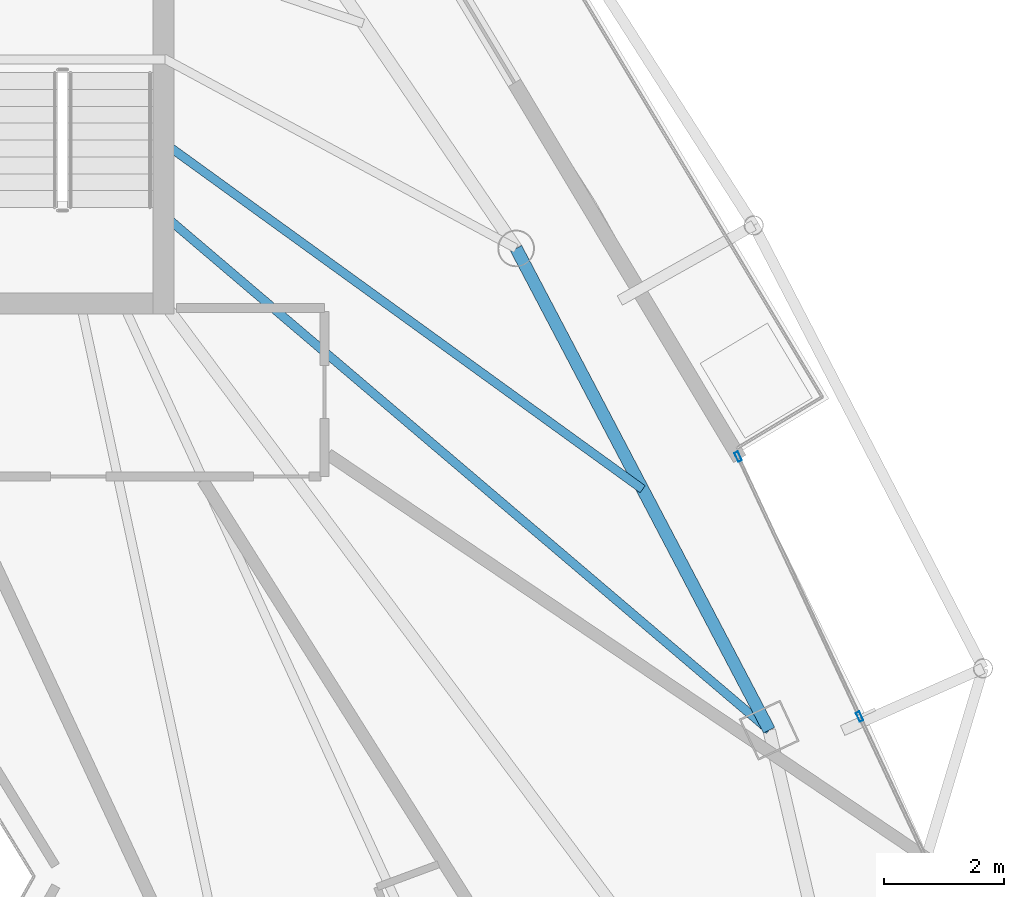
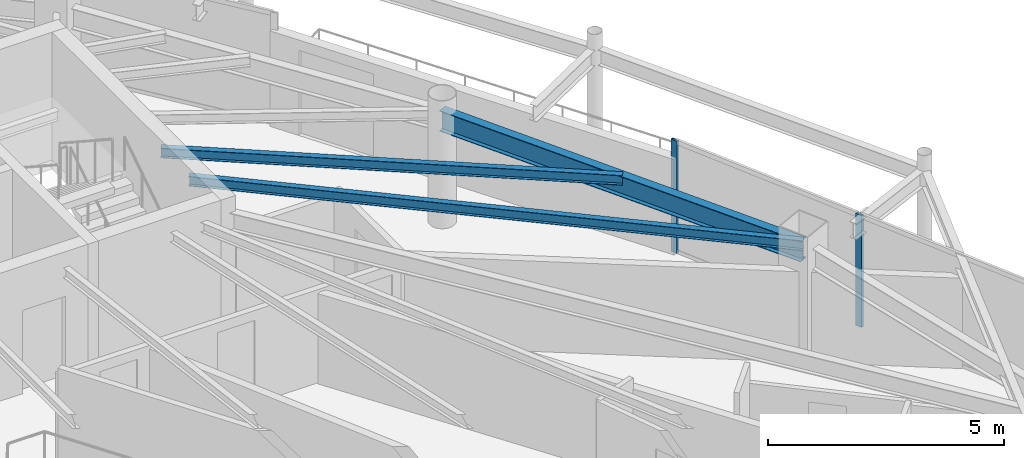
# One storey, part 17 of 29: 3 beams, 2 members, 1 element without a shape of its own.
"""IFC4 building model written with IfcOpenShell, lengths in metres."""

from ifc_helpers import new_model, si_unit, direction, frame, origin, origin_2d, place, context, subcontext, project, spatial, hollow_rectangle, i_section, extrude, material, layer, layer_set, material_profile, profile_set, type_object, element, aggregate, save


model = new_model("IFC4")

# Units and contexts
model_context = context("Model", 3, precision=1e-05, world=origin(), true_north=direction((0.0, 1.0)))
body_context = subcontext(model_context, "Body", "Model", "MODEL_VIEW")
ifc_project = project(units=[si_unit("LENGTHUNIT", "METRE"), si_unit("AREAUNIT", "SQUARE_METRE"), si_unit("VOLUMEUNIT", "CUBIC_METRE"), si_unit("PLANEANGLEUNIT", "RADIAN"), si_unit("MASSUNIT", "GRAM", prefix="KILO")], contexts=[model_context])

# Site, building, storey
site_placement = place(None, origin())
site = spatial("IfcSite", under=ifc_project, at=site_placement, CompositionType="ELEMENT")
building_placement = place(site_placement, origin())
building = spatial("IfcBuilding", under=site, at=building_placement, Name="Orvanel Arch Residences", CompositionType="ELEMENT")
storey_placement = place(building_placement, frame((0.0, 0.0, 253.550048828125)))
storey = spatial("IfcBuildingStorey", under=building, at=storey_placement, Name="L72", CompositionType="ELEMENT", Elevation=253.550048828125)

# Beams
ifc_material_1 = material(Name="Structural steel AS/NZS 3679.1 Grade 300 (300 MPa)", Category="steel")
ifc_material_profile_1 = material_profile(ifc_material_1, i_section(OverallWidth=0.14599609375, OverallDepth=0.251953125, WebThickness=0.006103515625, FlangeThickness=0.008544921875, at=origin_2d()), Name="250UB31.4")
ifc_profile_set_1 = profile_set([ifc_material_profile_1], Name="Structural steel AS/NZS 3679.1 Grade 300 (300 MPa)")
beam_type_1 = type_object("IfcBeamType", Name="BJ-250UB", PredefinedType="JOIST", material=ifc_profile_set_1)
beam_1_placement = place(storey_placement, frame((39.574951171875, 28.199951171875, 2.77392578125), z_axis=(0.761622669031, -0.64802076357, 0.0), x_axis=(0.64802076357, 0.761622669031, 0.0)))
element("IfcBeam", 1, at=beam_1_placement, inside=storey, type_object=beam_type_1, Name="L72 E Wing Floor Joist", PredefinedType="JOIST", context=body_context, shape_type="SweptSolid", body=[
    extrude(i_section(OverallWidth=0.14599609375, OverallDepth=0.251953125, WebThickness=0.006103515625, FlangeThickness=0.008544921875, at=origin_2d()), origin(), (0.0, 0.0, 1.0), 13.2060546875),
])
beam_2_placement = place(storey_placement, frame((39.574951171875, 29.39990234375, 2.77392578125), z_axis=(0.810144032972, -0.586230881002, 0.0), x_axis=(0.586230881002, 0.810144032972, 0.0)))
element("IfcBeam", 2, at=beam_2_placement, inside=storey, type_object=beam_type_1, Name="L72 CTE Wing Floor Joist", PredefinedType="JOIST", context=body_context, shape_type="SweptSolid", body=[
    extrude(i_section(OverallWidth=0.14599609375, OverallDepth=0.251953125, WebThickness=0.006103515625, FlangeThickness=0.008544921875, at=origin_2d()), origin(), (0.0, 0.0, 1.0), 9.82177734375),
])

# Curtain wall, members
ifc_material_2 = material(Name="Bronze-anodised aluminium AA6063-T6", Category="aluminium")
ifc_layer = layer(ifc_material_2, 0.175048828125)
ifc_layer_set = layer_set([ifc_layer], Name="Bronze-anodised aluminium AA6063-T6")
curtain_wall_type = type_object("IfcCurtainWallType", Name="CW4-HI-SYS", PredefinedType="NOTDEFINED", material=ifc_layer_set)
curtain_wall_placement = place(storey_placement, origin())
curtain_wall = element("IfcCurtainWall", 3, at=curtain_wall_placement, inside=storey, type_object=curtain_wall_type, Name="L72 CW4-HI-SYS Unitised Curtain Wall", PredefinedType="NOTDEFINED")
ifc_material_profile_2 = material_profile(ifc_material_2, hollow_rectangle(XDim=0.06494140625, YDim=0.159912109375, WallThickness=0.00390625, at=origin_2d()), Name="ALU160x65x4")
ifc_profile_set_2 = profile_set([ifc_material_profile_2], Name="Bronze-anodised aluminium AA6063-T6")
member_type = type_object("IfcMemberType", Name="MUL-160x65", PredefinedType="MULLION", material=ifc_profile_set_2)
member_1_placement = place(storey_placement, frame((51.134521484375, 19.867431640625, 0.0), z_axis=(0.0, 0.0, 1.0), x_axis=(-0.905975305707, -0.423330539235, 0.0)))
member_1 = element("IfcMember", 4, at=member_1_placement, type_object=member_type, Name="CW-S4 mullion 2", PredefinedType="MULLION", context=body_context, shape_type="SweptSolid", body=[
    extrude(hollow_rectangle(XDim=0.06494140625, YDim=0.159912109375, WallThickness=0.00390625, at=origin_2d()), origin(), (0.0, 0.0, 1.0), 2.89990234375),
])
member_2_placement = place(storey_placement, frame((49.11767578125, 24.18359375, 0.0), z_axis=(0.0, 0.0, 1.0), x_axis=(-0.905975305707, -0.423330539235, 0.0)))
member_2 = element("IfcMember", 5, at=member_2_placement, type_object=member_type, Name="CW-S4 mullion 3", PredefinedType="MULLION", context=body_context, shape_type="SweptSolid", body=[
    extrude(hollow_rectangle(XDim=0.06494140625, YDim=0.159912109375, WallThickness=0.00390625, at=origin_2d()), origin(), (0.0, 0.0, 1.0), 2.89990234375),
])
aggregate(curtain_wall, [member_1, member_2])

# Beam
ifc_material_profile_3 = material_profile(ifc_material_1, i_section(OverallWidth=0.208984375, OverallDepth=0.532958984375, WebThickness=0.01025390625, FlangeThickness=0.015625, at=origin_2d()), Name="530UB92.4")
ifc_profile_set_3 = profile_set([ifc_material_profile_3], Name="Structural steel AS/NZS 3679.1 Grade 300 (300 MPa)")
beam_type_2 = type_object("IfcBeamType", Name="SP-530UB", PredefinedType="SPANDREL", material=ifc_profile_set_3)
beam_3_placement = place(storey_placement, frame((49.633056640625, 19.64208984375, 2.633056640625), z_axis=(-0.465064762793, 0.885276660942, 0.0), x_axis=(-0.885276660942, -0.465064762793, 0.0)))
element("IfcBeam", 6, at=beam_3_placement, inside=storey, type_object=beam_type_2, Name="L72 Perimeter Spandrel Beam 07", PredefinedType="SPANDREL", context=body_context, shape_type="SweptSolid", body=[
    extrude(i_section(OverallWidth=0.208984375, OverallDepth=0.532958984375, WebThickness=0.01025390625, FlangeThickness=0.015625, at=origin_2d()), origin(), (0.0, 0.0, 1.0), 9.03564453125),
])

save(model, "model.ifc")
